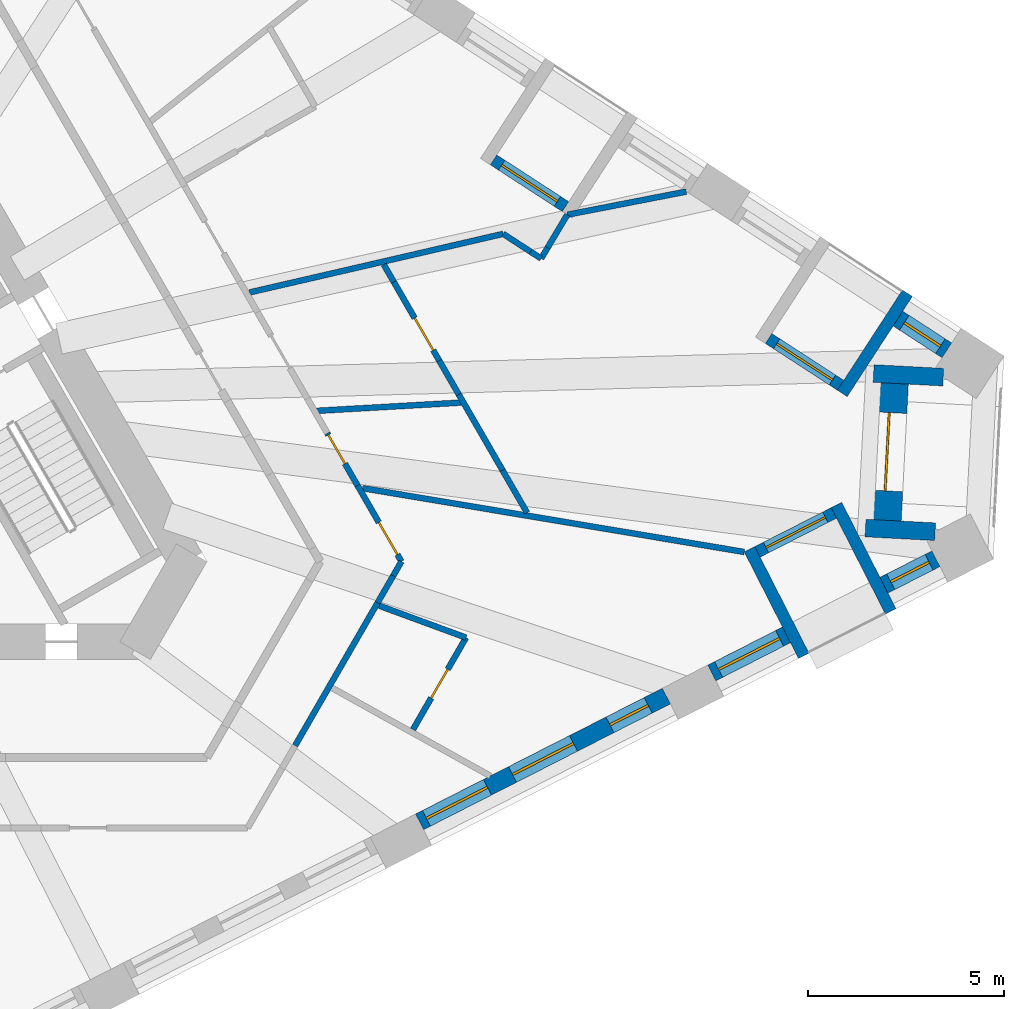
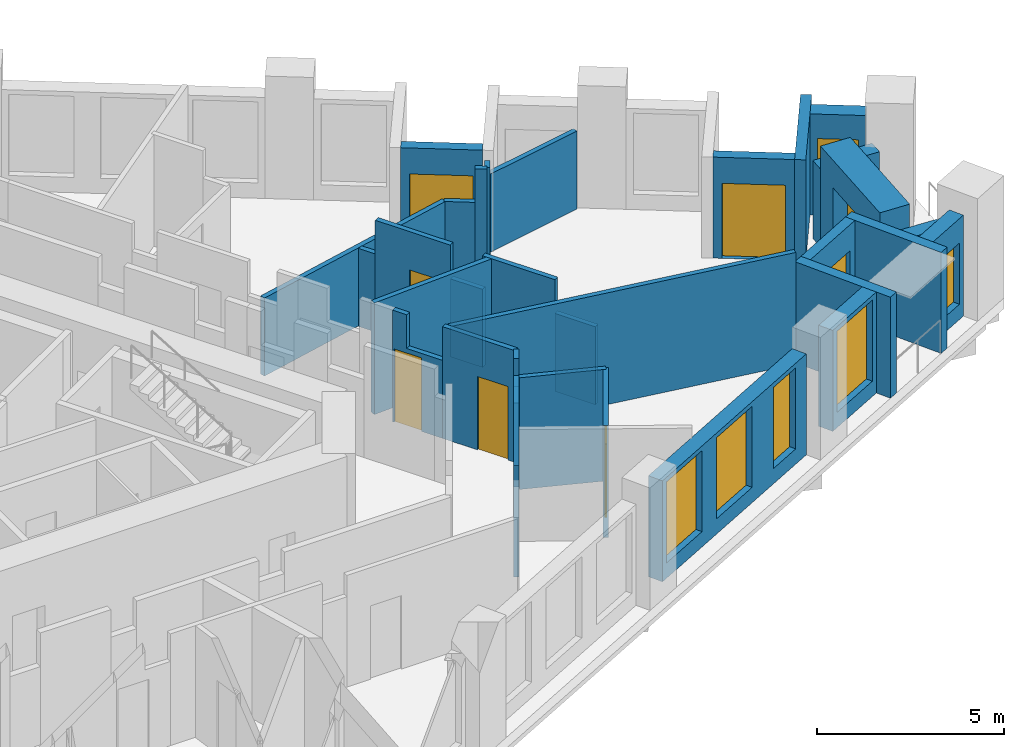
# One storey, part 6 of 13: 33 walls, 8 doors, 6 windows, 14 openings.
"""IFC4 building model written with IfcOpenShell, lengths in metres."""

from ifc_helpers import new_model, si_unit, direction, frame, frame_2d, origin, place, context, subcontext, project, spatial, polyline, rectangle, outline, extrude, material, layer, layer_set, type_object, element, fill, save


model = new_model("IFC4")

# Units and contexts
model_context = context("Model", 3, precision=1e-05, world=origin(), true_north=direction((0.0, 1.0)))
body_context = subcontext(model_context, "Body", "Model", "MODEL_VIEW")
ifc_project = project(units=[si_unit("LENGTHUNIT", "METRE"), si_unit("AREAUNIT", "SQUARE_METRE"), si_unit("VOLUMEUNIT", "CUBIC_METRE"), si_unit("PLANEANGLEUNIT", "RADIAN"), si_unit("MASSUNIT", "GRAM", prefix="KILO")], contexts=[model_context])

# Site, building, storey
site_placement = place(None, origin())
site = spatial("IfcSite", under=ifc_project, at=site_placement, CompositionType="ELEMENT")
building_placement = place(site_placement, origin())
building = spatial("IfcBuilding", under=site, at=building_placement, Name="Tramontana Tower", CompositionType="ELEMENT")
storey_placement = place(building_placement, frame((0.0, 0.0, 145.60009765625)))
storey = spatial("IfcBuildingStorey", under=building, at=storey_placement, Name="L33", CompositionType="ELEMENT", Elevation=145.60009765625)

# Wall, openings, windows
ifc_material_1 = material(Name="Precast concrete 60 MPa", Category="concrete")
ifc_layer_1 = layer(ifc_material_1, 0.449951171875)
ifc_layer_set_1 = layer_set([ifc_layer_1], Name="Precast concrete 60 MPa, 450 mm")
wall_type_1 = type_object("IfcWallType", Name="EW1 Stone-faced precast wall 450", PredefinedType="SOLIDWALL", material=ifc_layer_set_1)
wall_1_placement = place(storey_placement, frame((15.6767578125, -10.8955078125, 0.0), z_axis=(0.0, 0.0, 1.0), x_axis=(0.891004189171, 0.45399508244, 0.0)))
wall_1 = element("IfcWall", 1, at=wall_1_placement, inside=storey, type_object=wall_type_1, Name="External wall L33 face 1 bay 5", PredefinedType="SOLIDWALL", context=body_context, shape_type="SweptSolid", body=[
    extrude(rectangle(XDim=7.071533203125, YDim=0.449951171875, at=frame_2d((3.53564453125, 0.0))), origin(), (0.0, 0.0, 1.0), 3.2998046875),
])
opening_1_placement = place(wall_1_placement, frame((0.1953125, 0.0, 0.5)))
opening_1 = element("IfcOpeningElement", 2, at=opening_1_placement, cuts=wall_1, Name="Opening M2", PredefinedType="OPENING", context=body_context, shape_type="SweptSolid", body=[
    extrude(rectangle(XDim=1.75, YDim=2.64990234375, at=frame_2d((0.875, 1.324951171875))), frame((0.0, 0.23486328125, 0.0), z_axis=(0.0, -1.0, 0.0), x_axis=(1.0, 0.0, 0.0)), (0.0, 0.0, 1.0), 0.469970703125),
])
opening_2_placement = place(wall_1_placement, frame((2.660888671875, 0.0, 0.5)))
opening_2 = element("IfcOpeningElement", 3, at=opening_2_placement, cuts=wall_1, Name="Opening M2", PredefinedType="OPENING", context=body_context, shape_type="SweptSolid", body=[
    extrude(rectangle(XDim=1.75, YDim=2.64990234375, at=frame_2d((0.875, 1.324951171875))), frame((0.0, 0.23486328125, 0.0), z_axis=(0.0, -1.0, 0.0), x_axis=(1.0, 0.0, 0.0)), (0.0, 0.0, 1.0), 0.469970703125),
])
opening_3_placement = place(wall_1_placement, frame((5.451416015625, 0.0, 0.5)))
opening_3 = element("IfcOpeningElement", 4, at=opening_3_placement, cuts=wall_1, Name="Opening N2", PredefinedType="OPENING", context=body_context, shape_type="SweptSolid", body=[
    extrude(rectangle(XDim=1.10009765625, YDim=2.64990234375, at=frame_2d((0.550048828125, 1.324951171875))), frame((0.0, 0.23486328125, 0.0), z_axis=(0.0, -1.0, 0.0), x_axis=(1.0, 0.0, 0.0)), (0.0, 0.0, 1.0), 0.469970703125),
])
ifc_material_2 = material(Name="Aluminum frame, double glazing unit", Category="aluminium")
window_type_1 = type_object("IfcWindowType", Name="M2 Window 1.75 x 2.65", PartitioningType="SINGLE_PANEL", PredefinedType="WINDOW", material=ifc_material_2)
window_1_placement = place(opening_1_placement, origin())
window_1 = element("IfcWindow", 5, at=window_1_placement, inside=storey, type_object=window_type_1, Name="Window M2 L33 face 1 module 13", OverallHeight=2.64990234375, OverallWidth=1.75, PartitioningType="SINGLE_PANEL", PredefinedType="WINDOW", context=body_context, shape_type="SweptSolid", body=[
    extrude(rectangle(XDim=1.75, YDim=2.64990234375, at=frame_2d((0.875, 1.324951171875))), frame((0.0, 0.030029296875, 0.0), z_axis=(0.0, -1.0, 0.0), x_axis=(1.0, 0.0, 0.0)), (0.0, 0.0, 1.0), 0.06005859375),
])
fill(opening_1, window_1)
window_2_placement = place(opening_2_placement, origin())
window_2 = element("IfcWindow", 6, at=window_2_placement, inside=storey, type_object=window_type_1, Name="Window M2 L33 face 1 module 14", OverallHeight=2.64990234375, OverallWidth=1.75, PartitioningType="SINGLE_PANEL", PredefinedType="WINDOW", context=body_context, shape_type="SweptSolid", body=[
    extrude(rectangle(XDim=1.75, YDim=2.64990234375, at=frame_2d((0.875, 1.324951171875))), frame((0.0, 0.030029296875, 0.0), z_axis=(0.0, -1.0, 0.0), x_axis=(1.0, 0.0, 0.0)), (0.0, 0.0, 1.0), 0.06005859375),
])
fill(opening_2, window_2)
ifc_material_3 = material(Name="Aluminum frame, double glazing unit", Category="aluminium")
window_type_2 = type_object("IfcWindowType", Name="N2 Window 1.1 x 2.65", PartitioningType="SINGLE_PANEL", PredefinedType="WINDOW", material=ifc_material_3)
window_3_placement = place(opening_3_placement, origin())
window_3 = element("IfcWindow", 7, at=window_3_placement, inside=storey, type_object=window_type_2, Name="Window N2 L33 face 1 module 15", OverallHeight=2.64990234375, OverallWidth=1.10009765625, PartitioningType="SINGLE_PANEL", PredefinedType="WINDOW", context=body_context, shape_type="SweptSolid", body=[
    extrude(rectangle(XDim=1.10009765625, YDim=2.64990234375, at=frame_2d((0.550048828125, 1.324951171875))), frame((0.0, 0.030029296875, 0.0), z_axis=(0.0, -1.0, 0.0), x_axis=(1.0, 0.0, 0.0)), (0.0, 0.0, 1.0), 0.06005859375),
])
fill(opening_3, window_3)

# Wall, opening, window
wall_2_placement = place(storey_placement, frame((23.1357421875, -7.094970703125, 0.0), z_axis=(0.0, 0.0, 1.0), x_axis=(0.890979432498, 0.454043666254, 0.0)))
wall_2 = element("IfcWall", 8, at=wall_2_placement, inside=storey, type_object=wall_type_1, Name="External wall L33 face 1 bay 6", PredefinedType="SOLIDWALL", context=body_context, shape_type="SweptSolid", body=[
    extrude(rectangle(XDim=2.140625, YDim=0.449951171875, at=frame_2d((1.0703125, 0.0))), origin(), (0.0, 0.0, 1.0), 3.2998046875),
])
opening_4_placement = place(wall_2_placement, frame((0.1953125, 0.0, 0.5)))
opening_4 = element("IfcOpeningElement", 9, at=opening_4_placement, cuts=wall_2, Name="Opening M2", PredefinedType="OPENING", context=body_context, shape_type="SweptSolid", body=[
    extrude(rectangle(XDim=1.75, YDim=2.64990234375, at=frame_2d((0.875, 1.324951171875))), frame((0.0, 0.23486328125, 0.0), z_axis=(0.0, -1.0, 0.0), x_axis=(1.0, 0.0, 0.0)), (0.0, 0.0, 1.0), 0.469970703125),
])
window_4_placement = place(opening_4_placement, origin())
window_4 = element("IfcWindow", 10, at=window_4_placement, inside=storey, type_object=window_type_1, Name="Window M2 L33 face 1 module 16", OverallHeight=2.64990234375, OverallWidth=1.75, PartitioningType="SINGLE_PANEL", PredefinedType="WINDOW", context=body_context, shape_type="SweptSolid", body=[
    extrude(rectangle(XDim=1.75, YDim=2.64990234375, at=frame_2d((0.875, 1.324951171875))), frame((0.0, 0.030029296875, 0.0), z_axis=(0.0, -1.0, 0.0), x_axis=(1.0, 0.0, 0.0)), (0.0, 0.0, 1.0), 0.06005859375),
])
fill(opening_4, window_4)

wall_3_placement = place(storey_placement, frame((27.529296875, -4.856201171875, 0.0), z_axis=(0.0, 0.0, 1.0), x_axis=(0.890994495378, 0.454014106836, 0.0)))
wall_3 = element("IfcWall", 11, at=wall_3_placement, inside=storey, type_object=wall_type_1, Name="External wall L33 face 1 bay 6", PredefinedType="SOLIDWALL", context=body_context, shape_type="SweptSolid", body=[
    extrude(rectangle(XDim=1.49072265625, YDim=0.449951171875, at=frame_2d((0.745361328125, 0.0))), origin(), (0.0, 0.0, 1.0), 3.2998046875),
])
opening_5_placement = place(wall_3_placement, frame((0.1953125, 0.0, 0.5)))
opening_5 = element("IfcOpeningElement", 12, at=opening_5_placement, cuts=wall_3, Name="Opening N2L", PredefinedType="OPENING", context=body_context, shape_type="SweptSolid", body=[
    extrude(rectangle(XDim=1.10009765625, YDim=2.0, at=frame_2d((0.550048828125, 1.0))), frame((0.0, 0.23486328125, 0.0), z_axis=(0.0, -1.0, 0.0), x_axis=(1.0, 0.0, 0.0)), (0.0, 0.0, 1.0), 0.469970703125),
])
ifc_material_4 = material(Name="Aluminum frame, double glazing unit", Category="aluminium")
window_type_3 = type_object("IfcWindowType", Name="N2L Window 1.1 x 2", PartitioningType="SINGLE_PANEL", PredefinedType="WINDOW", material=ifc_material_4)
window_5_placement = place(opening_5_placement, origin())
window_5 = element("IfcWindow", 13, at=window_5_placement, inside=storey, type_object=window_type_3, Name="Window N2L L33 face 1 module 18", OverallHeight=2.0, OverallWidth=1.10009765625, PartitioningType="SINGLE_PANEL", PredefinedType="WINDOW", context=body_context, shape_type="SweptSolid", body=[
    extrude(rectangle(XDim=1.10009765625, YDim=2.0, at=frame_2d((0.550048828125, 1.0))), frame((0.0, 0.030029296875, 0.0), z_axis=(0.0, -1.0, 0.0), x_axis=(1.0, 0.0, 0.0)), (0.0, 0.0, 1.0), 0.06005859375),
])
fill(opening_5, window_5)

wall_4_placement = place(storey_placement, frame((29.13623046875, 1.14013671875, 0.0), z_axis=(0.0, 0.0, 1.0), x_axis=(-0.838668089672, 0.544642851203, 0.0)))
wall_4 = element("IfcWall", 14, at=wall_4_placement, inside=storey, type_object=wall_type_1, Name="External wall L33 face 2 bay 1", PredefinedType="SOLIDWALL", context=body_context, shape_type="SweptSolid", body=[
    extrude(rectangle(XDim=1.490478515625, YDim=0.449951171875, at=frame_2d((0.7451171875, 0.0))), origin(), (0.0, 0.0, 1.0), 3.2998046875),
])
opening_6_placement = place(wall_4_placement, frame((0.1953125, 0.0, 0.5)))
opening_6 = element("IfcOpeningElement", 15, at=opening_6_placement, cuts=wall_4, Name="Opening N2L", PredefinedType="OPENING", context=body_context, shape_type="SweptSolid", body=[
    extrude(rectangle(XDim=1.10009765625, YDim=2.0, at=frame_2d((0.550048828125, 1.0))), frame((0.0, 0.23486328125, 0.0), z_axis=(0.0, -1.0, 0.0), x_axis=(1.0, 0.0, 0.0)), (0.0, 0.0, 1.0), 0.469970703125),
])
window_6_placement = place(opening_6_placement, origin())
window_6 = element("IfcWindow", 16, at=window_6_placement, inside=storey, type_object=window_type_3, Name="Window N2L L33 face 2 module 1", OverallHeight=2.0, OverallWidth=1.10009765625, PartitioningType="SINGLE_PANEL", PredefinedType="WINDOW", context=body_context, shape_type="SweptSolid", body=[
    extrude(rectangle(XDim=1.10009765625, YDim=2.0, at=frame_2d((0.550048828125, 1.0))), frame((0.0, 0.030029296875, 0.0), z_axis=(0.0, -1.0, 0.0), x_axis=(1.0, 0.0, 0.0)), (0.0, 0.0, 1.0), 0.06005859375),
])
fill(opening_6, window_6)

# Walls
for number, where, z_axis, x_axis, name in (
    (17, (29.04296875, 0.45556640625, 0.0), (0.0, 0.0, 1.0), (-0.998625399692, 0.05241479839, 0.0), "Corner loggia side wall L33 K32l"),
    (18, (28.836181640625, -3.489013671875, 0.0), (0.0, 0.0, 1.0), (-0.998625399692, 0.05241479839, 0.0), "Corner loggia side wall L33 K32r"),
):
    element("IfcWall", number, at=place(storey_placement, frame(where, z_axis=z_axis, x_axis=x_axis)), inside=storey, type_object=wall_type_1, Name=name, PredefinedType="SOLIDWALL", context=body_context, shape_type="SweptSolid", body=[
        extrude(rectangle(XDim=1.779296875, YDim=0.449951171875, at=frame_2d((0.8896484375, 0.0))), origin(), (0.0, 0.0, 1.0), 2.5498046875),
    ])

# Wall, opening, door
ifc_material_5 = material(Name="Precast concrete 60 MPa", Category="concrete")
ifc_layer_2 = layer(ifc_material_5, 0.89990234375)
ifc_layer_set_2 = layer_set([ifc_layer_2], Name="EW2 Stone-faced corner loggia wall 900")
wall_type_2 = type_object("IfcWallType", Name="EW2 Stone-faced corner loggia wall 900", PredefinedType="SOLIDWALL", material=ifc_layer_set_2)
wall_5_placement = place(storey_placement, frame((27.70361328125, 0.300537109375, 0.0), z_axis=(0.0, 0.0, 1.0), x_axis=(-0.052317189757, -0.998630518088, 0.0)))
wall_5 = element("IfcWall", 19, at=wall_5_placement, inside=storey, type_object=wall_type_2, Name="Corner loggia wall L33 K32", PredefinedType="SOLIDWALL", context=body_context, shape_type="SweptSolid", body=[
    extrude(rectangle(XDim=3.5, YDim=0.89990234375, at=frame_2d((1.75, 0.0))), origin(), (0.0, 0.0, 1.0), 3.2998046875),
])
opening_7_placement = place(wall_5_placement, frame((0.75, 0.0, 0.0)))
opening_7 = element("IfcOpeningElement", 20, at=opening_7_placement, cuts=wall_5, Name="Opening BD-32C", PredefinedType="OPENING", context=body_context, shape_type="SweptSolid", body=[
    extrude(rectangle(XDim=2.0, YDim=2.39990234375, at=frame_2d((1.0, 1.199951171875))), frame((0.0, 0.4599609375, 0.0), z_axis=(0.0, -1.0, 0.0), x_axis=(1.0, 0.0, 0.0)), (0.0, 0.0, 1.0), 0.919921875),
])
ifc_material_6 = material(Name="Aluminum frame, double glazing unit", Category="aluminium")
door_type_1 = type_object("IfcDoorType", Name="BC1 Sliding door 2 x 2.4", OperationType="SLIDING_TO_LEFT", PredefinedType="DOOR", material=ifc_material_6)
door_1_placement = place(opening_7_placement, origin())
door_1 = element("IfcDoor", 21, at=door_1_placement, inside=storey, type_object=door_type_1, Name="Corner loggia door L33 K32", OperationType="SLIDING_TO_LEFT", OverallHeight=2.39990234375, OverallWidth=2.0, PredefinedType="DOOR", context=body_context, shape_type="SweptSolid", body=[
    extrude(rectangle(XDim=2.0, YDim=2.39990234375, at=frame_2d((1.0, 1.199951171875))), frame((0.0, 0.02490234375, 0.0), z_axis=(0.0, -1.0, 0.0), x_axis=(1.0, 0.0, 0.0)), (0.0, 0.0, 1.0), 0.050048828125),
])
fill(opening_7, door_1)

ifc_material_7 = material(Name="Precast concrete 60 MPa", Category="concrete")
ifc_layer_3 = layer(ifc_material_7, 0.300048828125)
ifc_layer_set_3 = layer_set([ifc_layer_3], Name="LW1 Stone-faced loggia wall 300")
wall_type_3 = type_object("IfcWallType", Name="LW1 Stone-faced loggia wall 300", PredefinedType="SOLIDWALL", material=ifc_layer_set_3)
wall_6_placement = place(storey_placement, frame((24.30029296875, -4.00439453125, 0.0), z_axis=(0.0, 0.0, 1.0), x_axis=(0.891013126725, 0.4539775413, 0.0)))
wall_6 = element("IfcWall", 22, at=wall_6_placement, inside=storey, type_object=wall_type_3, Name="Loggia wall L33 G3S1.16", PredefinedType="SOLIDWALL", context=body_context, shape_type="SweptSolid", body=[
    extrude(rectangle(XDim=2.1904296875, YDim=0.300048828125, at=frame_2d((1.09521484375, 0.0))), origin(), (0.0, 0.0, 1.0), 3.2998046875),
])
opening_8_placement = place(wall_6_placement, frame((0.245361328125, 0.0, 0.0)))
opening_8 = element("IfcOpeningElement", 23, at=opening_8_placement, cuts=wall_6, Name="Opening BD-3S1-16", PredefinedType="OPENING", context=body_context, shape_type="SweptSolid", body=[
    extrude(rectangle(XDim=1.699951171875, YDim=2.449951171875, at=frame_2d((0.85009765625, 1.22509765625))), frame((0.0, 0.159912109375, 0.0), z_axis=(0.0, -1.0, 0.0), x_axis=(1.0, 0.0, 0.0)), (0.0, 0.0, 1.0), 0.320068359375),
])
ifc_material_8 = material(Name="Aluminum frame, double glazing unit", Category="aluminium")
door_type_2 = type_object("IfcDoorType", Name="BD2 Sliding door 1.7 x 2.45", OperationType="SLIDING_TO_LEFT", PredefinedType="DOOR", material=ifc_material_8)
door_2_placement = place(opening_8_placement, origin())
door_2 = element("IfcDoor", 24, at=door_2_placement, inside=storey, type_object=door_type_2, Name="Loggia door L33 G3S1.16", OperationType="SLIDING_TO_LEFT", OverallHeight=2.449951171875, OverallWidth=1.699951171875, PredefinedType="DOOR", context=body_context, shape_type="SweptSolid", body=[
    extrude(rectangle(XDim=1.699951171875, YDim=2.449951171875, at=frame_2d((0.85009765625, 1.22509765625))), frame((0.0, 0.02490234375, 0.0), z_axis=(0.0, -1.0, 0.0), x_axis=(1.0, 0.0, 0.0)), (0.0, 0.0, 1.0), 0.050048828125),
])
fill(opening_8, door_2)

# Walls
wall_7_placement = place(storey_placement, frame((25.483154296875, -6.656494140625, 0.0), z_axis=(0.0, 0.0, 1.0), x_axis=(-0.453988129332, 0.891007731968, 0.0)))
element("IfcWall", 25, at=wall_7_placement, inside=storey, type_object=wall_type_3, Name="Loggia return L33 G3S1.16a", PredefinedType="SOLIDWALL", context=body_context, shape_type="SweptSolid", body=[
    extrude(rectangle(XDim=3.05029296875, YDim=0.300048828125, at=frame_2d((1.525146484375, 0.0))), origin(), (0.0, 0.0, 1.0), 3.2998046875),
])
wall_8_placement = place(storey_placement, frame((27.7021484375, -5.525634765625, 0.0), z_axis=(0.0, 0.0, 1.0), x_axis=(-0.453956959009, 0.891023613249, 0.0)))
element("IfcWall", 26, at=wall_8_placement, inside=storey, type_object=wall_type_3, Name="Loggia return L33 G3S1.16b", PredefinedType="SOLIDWALL", context=body_context, shape_type="SweptSolid", body=[
    extrude(rectangle(XDim=3.0498046875, YDim=0.300048828125, at=frame_2d((1.52490234375, 0.0))), origin(), (0.0, 0.0, 1.0), 3.2998046875),
])

# Wall, opening, door
wall_9_placement = place(storey_placement, frame((26.4228515625, 0.249267578125, 0.0), z_axis=(0.0, 0.0, 1.0), x_axis=(-0.838659986147, 0.544655329209, 0.0)))
wall_9 = element("IfcWall", 27, at=wall_9_placement, inside=storey, type_object=wall_type_3, Name="Loggia wall L33 G3S2.1", PredefinedType="SOLIDWALL", context=body_context, shape_type="SweptSolid", body=[
    extrude(rectangle(XDim=2.190673828125, YDim=0.300048828125, at=frame_2d((1.09521484375, 0.0))), origin(), (0.0, 0.0, 1.0), 3.2998046875),
])
opening_9_placement = place(wall_9_placement, frame((0.245361328125, 0.0, 0.0)))
opening_9 = element("IfcOpeningElement", 28, at=opening_9_placement, cuts=wall_9, Name="Opening BD-3S2-01", PredefinedType="OPENING", context=body_context, shape_type="SweptSolid", body=[
    extrude(rectangle(XDim=1.699951171875, YDim=2.449951171875, at=frame_2d((0.85009765625, 1.22509765625))), frame((0.0, 0.159912109375, 0.0), z_axis=(0.0, -1.0, 0.0), x_axis=(1.0, 0.0, 0.0)), (0.0, 0.0, 1.0), 0.320068359375),
])
door_3_placement = place(opening_9_placement, origin())
door_3 = element("IfcDoor", 29, at=door_3_placement, inside=storey, type_object=door_type_2, Name="Loggia door L33 G3S2.1", OperationType="SLIDING_TO_LEFT", OverallHeight=2.449951171875, OverallWidth=1.699951171875, PredefinedType="DOOR", context=body_context, shape_type="SweptSolid", body=[
    extrude(rectangle(XDim=1.699951171875, YDim=2.449951171875, at=frame_2d((0.85009765625, 1.22509765625))), frame((0.0, 0.02490234375, 0.0), z_axis=(0.0, -1.0, 0.0), x_axis=(1.0, 0.0, 0.0)), (0.0, 0.0, 1.0), 0.050048828125),
])
fill(opening_9, door_3)

# Wall
wall_10_placement = place(storey_placement, frame((28.1279296875, 2.599853515625, 0.0), z_axis=(0.0, 0.0, 1.0), x_axis=(-0.544611292451, -0.838688583525, 0.0)))
element("IfcWall", 30, at=wall_10_placement, inside=storey, type_object=wall_type_3, Name="Loggia return L33 G3S2.1a", PredefinedType="SOLIDWALL", context=body_context, shape_type="SweptSolid", body=[
    extrude(rectangle(XDim=3.050048828125, YDim=0.300048828125, at=frame_2d((1.52490234375, 0.0))), origin(), (0.0, 0.0, 1.0), 3.2998046875),
])

# Wall, opening, door
wall_11_placement = place(storey_placement, frame((19.40185546875, 4.808837890625, 0.0), z_axis=(0.0, 0.0, 1.0), x_axis=(-0.838659986147, 0.544655329209, 0.0)))
wall_11 = element("IfcWall", 31, at=wall_11_placement, inside=storey, type_object=wall_type_3, Name="Loggia wall L33 G3S2.4", PredefinedType="SOLIDWALL", context=body_context, shape_type="SweptSolid", body=[
    extrude(rectangle(XDim=2.190673828125, YDim=0.300048828125, at=frame_2d((1.09521484375, 0.0))), origin(), (0.0, 0.0, 1.0), 3.2998046875),
])
opening_10_placement = place(wall_11_placement, frame((0.245361328125, 0.0, 0.0)))
opening_10 = element("IfcOpeningElement", 32, at=opening_10_placement, cuts=wall_11, Name="Opening BD-3S2-04", PredefinedType="OPENING", context=body_context, shape_type="SweptSolid", body=[
    extrude(rectangle(XDim=1.699951171875, YDim=2.449951171875, at=frame_2d((0.85009765625, 1.22509765625))), frame((0.0, 0.159912109375, 0.0), z_axis=(0.0, -1.0, 0.0), x_axis=(1.0, 0.0, 0.0)), (0.0, 0.0, 1.0), 0.320068359375),
])
door_4_placement = place(opening_10_placement, origin())
door_4 = element("IfcDoor", 33, at=door_4_placement, inside=storey, type_object=door_type_2, Name="Loggia door L33 G3S2.4", OperationType="SLIDING_TO_LEFT", OverallHeight=2.449951171875, OverallWidth=1.699951171875, PredefinedType="DOOR", context=body_context, shape_type="SweptSolid", body=[
    extrude(rectangle(XDim=1.699951171875, YDim=2.449951171875, at=frame_2d((0.85009765625, 1.22509765625))), frame((0.0, 0.02490234375, 0.0), z_axis=(0.0, -1.0, 0.0), x_axis=(1.0, 0.0, 0.0)), (0.0, 0.0, 1.0), 0.050048828125),
])
fill(opening_10, door_4)

ifc_material_9 = material(Name="Gypsum board partition")
ifc_layer_4 = layer(ifc_material_9, 0.14990234375)
ifc_layer_set_4 = layer_set([ifc_layer_4], Name="PARTITION 150")
wall_type_4 = type_object("IfcWallType", Name="PARTITION 150", PredefinedType="PARTITIONING", material=ifc_layer_set_4)
wall_12_placement = place(storey_placement, frame((13.322021484375, -0.974365234375, 0.0), z_axis=(0.0, 0.0, 1.0), x_axis=(0.5000008632, -0.866024905415, 0.0)))
wall_12 = element("IfcWall", 34, at=wall_12_placement, inside=storey, type_object=wall_type_4, Name="Wall v31-pw29-9", PredefinedType="PARTITIONING", context=body_context, shape_type="SweptSolid", body=[
    extrude(outline(polyline([(0.0, 0.0), (1.54345703125, 0.0), (1.54345703125, 2.5498046875), (0.439697265625, 2.5498046875), (0.439697265625, 3.64990234375), (0.0, 3.64990234375), (0.0, 0.0)])), frame((0.0, 0.074951171875, 0.0), z_axis=(0.0, -1.0, 0.0), x_axis=(1.0, 0.0, 0.0)), (0.0, 0.0, 1.0), 0.14990234375),
])
opening_11_placement = place(wall_12_placement, frame((0.050048828125, 0.0, 0.0)))
opening_11 = element("IfcOpeningElement", 35, at=opening_11_placement, cuts=wall_12, Name="Opening B3B-18", PredefinedType="OPENING", context=body_context, shape_type="SweptSolid", body=[
    extrude(rectangle(XDim=0.85009765625, YDim=2.39990234375, at=frame_2d((0.425048828125, 1.199951171875))), frame((0.0, 0.0849609375, 0.0), z_axis=(0.0, -1.0, 0.0), x_axis=(1.0, 0.0, 0.0)), (0.0, 0.0, 1.0), 0.169921875),
])
ifc_material_10 = material(Name="Painted timber", Category="wood")
door_type_3 = type_object("IfcDoorType", Name="DOOR BATH 850", OperationType="SINGLE_SWING_LEFT", PredefinedType="DOOR", material=ifc_material_10)
door_5_placement = place(opening_11_placement, origin())
door_5 = element("IfcDoor", 36, at=door_5_placement, inside=storey, type_object=door_type_3, Name="Door B3B-18", OperationType="SINGLE_SWING_RIGHT", OverallHeight=2.39990234375, OverallWidth=0.85009765625, PredefinedType="DOOR", context=body_context, shape_type="SweptSolid", body=[
    extrude(rectangle(XDim=0.85009765625, YDim=2.39990234375, at=frame_2d((0.425048828125, 1.199951171875))), frame((0.0, 0.02490234375, 0.0), z_axis=(0.0, -1.0, 0.0), x_axis=(1.0, 0.0, 0.0)), (0.0, 0.0, 1.0), 0.050048828125),
])
fill(opening_11, door_5)

wall_13_placement = place(storey_placement, frame((14.09375, -2.31103515625, 0.0), z_axis=(0.0, 0.0, 1.0), x_axis=(0.499974169222, -0.866040316677, 0.0)))
wall_13 = element("IfcWall", 37, at=wall_13_placement, inside=storey, type_object=wall_type_4, Name="Wall v31-pw29-10", PredefinedType="PARTITIONING", context=body_context, shape_type="SweptSolid", body=[
    extrude(rectangle(XDim=2.23876953125, YDim=0.14990234375, at=frame_2d((1.119384765625, 0.0))), origin(), (0.0, 0.0, 1.0), 3.64990234375),
])
opening_12_placement = place(wall_13_placement, frame((1.08447265625, 0.0, 0.0)))
opening_12 = element("IfcOpeningElement", 38, at=opening_12_placement, cuts=wall_13, Name="Opening B3B-19", PredefinedType="OPENING", context=body_context, shape_type="SweptSolid", body=[
    extrude(rectangle(XDim=0.949951171875, YDim=2.39990234375, at=frame_2d((0.47509765625, 1.199951171875))), frame((0.0, 0.0849609375, 0.0), z_axis=(0.0, -1.0, 0.0), x_axis=(1.0, 0.0, 0.0)), (0.0, 0.0, 1.0), 0.169921875),
])
ifc_material_11 = material(Name="Painted timber", Category="wood")
door_type_4 = type_object("IfcDoorType", Name="DOOR ROOM 950", OperationType="SINGLE_SWING_LEFT", PredefinedType="DOOR", material=ifc_material_11)
door_6_placement = place(opening_12_placement, origin())
door_6 = element("IfcDoor", 39, at=door_6_placement, inside=storey, type_object=door_type_4, Name="Door B3B-19", OperationType="SINGLE_SWING_LEFT", OverallHeight=2.39990234375, OverallWidth=0.949951171875, PredefinedType="DOOR", context=body_context, shape_type="SweptSolid", body=[
    extrude(rectangle(XDim=0.949951171875, YDim=2.39990234375, at=frame_2d((0.47509765625, 1.199951171875))), frame((0.0, 0.02490234375, 0.0), z_axis=(0.0, -1.0, 0.0), x_axis=(1.0, 0.0, 0.0)), (0.0, 0.0, 1.0), 0.050048828125),
])
fill(opening_12, door_6)

# Walls
wall_14_placement = place(storey_placement, frame((11.3349609375, 2.617431640625, 0.0), z_axis=(0.0, 0.0, 1.0), x_axis=(0.974350317448, 0.225036572338, 0.0)))
element("IfcWall", 40, at=wall_14_placement, inside=storey, type_object=wall_type_4, Name="Wall v31-pw34-0", PredefinedType="PARTITIONING", context=body_context, shape_type="SweptSolid", body=[
    extrude(rectangle(XDim=6.64599609375, YDim=0.14990234375, at=frame_2d((3.322998046875, 0.0))), origin(), (0.0, 0.0, 1.0), 2.5498046875),
])
wall_15_placement = place(storey_placement, frame((14.64794921875, -5.379150390625, 0.0), z_axis=(0.0, 0.0, 1.0), x_axis=(0.938688895459, -0.344765365925, 0.0)))
element("IfcWall", 41, at=wall_15_placement, inside=storey, type_object=wall_type_4, Name="Wall v31-pw38", PredefinedType="PARTITIONING", context=body_context, shape_type="SweptSolid", body=[
    extrude(rectangle(XDim=2.359619140625, YDim=0.14990234375, at=frame_2d((1.1796875, 0.0))), origin(), (0.0, 0.0, 1.0), 3.64990234375),
])
wall_16_placement = place(storey_placement, frame((14.76171875, 3.331787109375, 0.0), z_axis=(0.0, 0.0, 1.0), x_axis=(0.500024172624, -0.866011447264, 0.0)))
element("IfcWall", 42, at=wall_16_placement, inside=storey, type_object=wall_type_4, Name="Wall v31-pw39-0", PredefinedType="PARTITIONING", context=body_context, shape_type="SweptSolid", body=[
    extrude(rectangle(XDim=0.513671875, YDim=0.14990234375, at=frame_2d((0.2568359375, 0.0))), origin(), (0.0, 0.0, 1.0), 2.5498046875),
])

# Wall, opening, door
wall_17_placement = place(storey_placement, frame((15.0185546875, 2.886962890625, 0.0), z_axis=(0.0, 0.0, 1.0), x_axis=(0.50006548692, -0.865987591592, 0.0)))
wall_17 = element("IfcWall", 43, at=wall_17_placement, inside=storey, type_object=wall_type_4, Name="Wall v31-pw39-1", PredefinedType="PARTITIONING", context=body_context, shape_type="SweptSolid", body=[
    extrude(rectangle(XDim=2.320556640625, YDim=0.14990234375, at=frame_2d((1.16015625, 0.0))), origin(), (0.0, 0.0, 1.0), 3.64990234375),
])
opening_13_placement = place(wall_17_placement, frame((1.064208984375, 0.0, 0.0)))
opening_13 = element("IfcOpeningElement", 44, at=opening_13_placement, cuts=wall_17, Name="Opening B3B-25", PredefinedType="OPENING", context=body_context, shape_type="SweptSolid", body=[
    extrude(rectangle(XDim=0.949951171875, YDim=2.39990234375, at=frame_2d((0.47509765625, 1.199951171875))), frame((0.0, 0.0849609375, 0.0), z_axis=(0.0, -1.0, 0.0), x_axis=(1.0, 0.0, 0.0)), (0.0, 0.0, 1.0), 0.169921875),
])
door_7_placement = place(opening_13_placement, origin())
door_7 = element("IfcDoor", 45, at=door_7_placement, inside=storey, type_object=door_type_4, Name="Door B3B-25", OperationType="SINGLE_SWING_LEFT", OverallHeight=2.39990234375, OverallWidth=0.949951171875, PredefinedType="DOOR", context=body_context, shape_type="SweptSolid", body=[
    extrude(rectangle(XDim=0.949951171875, YDim=2.39990234375, at=frame_2d((0.47509765625, 1.199951171875))), frame((0.0, 0.02490234375, 0.0), z_axis=(0.0, -1.0, 0.0), x_axis=(1.0, 0.0, 0.0)), (0.0, 0.0, 1.0), 0.050048828125),
])
fill(opening_13, door_7)

# Walls
wall_18_placement = place(storey_placement, frame((16.178955078125, 0.87744140625, 0.0), z_axis=(0.0, 0.0, 1.0), x_axis=(0.499991453095, -0.866030338286, 0.0)))
element("IfcWall", 46, at=wall_18_placement, inside=storey, type_object=wall_type_4, Name="Wall v31-pw39-2", PredefinedType="PARTITIONING", context=body_context, shape_type="SweptSolid", body=[
    extrude(rectangle(XDim=0.9951171875, YDim=0.14990234375, at=frame_2d((0.49755859375, 0.0))), origin(), (0.0, 0.0, 1.0), 2.5498046875),
])
wall_19_placement = place(storey_placement, frame((16.676513671875, 0.015625, 0.0), z_axis=(0.0, 0.0, 1.0), x_axis=(0.499958946799, -0.866049104564, 0.0)))
element("IfcWall", 47, at=wall_19_placement, inside=storey, type_object=wall_type_4, Name="Wall v31-pw39-3", PredefinedType="PARTITIONING", context=body_context, shape_type="SweptSolid", body=[
    extrude(rectangle(XDim=2.234130859375, YDim=0.14990234375, at=frame_2d((1.1171875, 0.0))), origin(), (0.0, 0.0, 1.0), 3.64990234375),
])
wall_20_placement = place(storey_placement, frame((17.79345703125, -1.919189453125, 0.0), z_axis=(0.0, 0.0, 1.0), x_axis=(0.500059962755, -0.865990781504, 0.0)))
element("IfcWall", 48, at=wall_20_placement, inside=storey, type_object=wall_type_4, Name="Wall v31-pw39-4", PredefinedType="PARTITIONING", context=body_context, shape_type="SweptSolid", body=[
    extrude(rectangle(XDim=1.252197265625, YDim=0.14990234375, at=frame_2d((0.6259765625, 0.0))), origin(), (0.0, 0.0, 1.0), 2.5498046875),
])
wall_21_placement = place(storey_placement, frame((15.213134765625, -4.25, 0.0), z_axis=(0.0, 0.0, 1.0), x_axis=(-0.499922110319, -0.866070368743, 0.0)))
element("IfcWall", 49, at=wall_21_placement, inside=storey, type_object=wall_type_4, Name="Wall v31-pw40-0", PredefinedType="PARTITIONING", context=body_context, shape_type="SweptSolid", body=[
    extrude(rectangle(XDim=0.42333984375, YDim=0.14990234375, at=frame_2d((0.211669921875, 0.0))), origin(), (0.0, 0.0, 1.0), 3.64990234375),
])
wall_22_placement = place(storey_placement, frame((15.00146484375, -4.61669921875, 0.0), z_axis=(0.0, 0.0, 1.0), x_axis=(-0.49989173393, -0.866087902207, 0.0)))
element("IfcWall", 50, at=wall_22_placement, inside=storey, type_object=wall_type_4, Name="Wall v31-pw40-1", PredefinedType="PARTITIONING", context=body_context, shape_type="SweptSolid", body=[
    extrude(rectangle(XDim=0.790771484375, YDim=0.14990234375, at=frame_2d((0.3955078125, 0.0))), origin(), (0.0, 0.0, 1.0), 2.75),
])
wall_23_placement = place(storey_placement, frame((14.606201171875, -5.301513671875, 0.0), z_axis=(0.0, 0.0, 1.0), x_axis=(-0.50004374799, -0.866000144397, 0.0)))
element("IfcWall", 51, at=wall_23_placement, inside=storey, type_object=wall_type_4, Name="Wall v31-pw40-2", PredefinedType="PARTITIONING", context=body_context, shape_type="SweptSolid", body=[
    extrude(rectangle(XDim=4.20947265625, YDim=0.14990234375, at=frame_2d((2.104736328125, 0.0))), origin(), (0.0, 0.0, 1.0), 3.64990234375),
])
wall_24_placement = place(storey_placement, frame((16.79296875, -0.1904296875, 0.0), z_axis=(0.0, 0.0, 1.0), x_axis=(-0.998373005919, -0.057020531853, 0.0)))
element("IfcWall", 52, at=wall_24_placement, inside=storey, type_object=wall_type_4, Name="Wall v31-pw41", PredefinedType="PARTITIONING", context=body_context, shape_type="SweptSolid", body=[
    extrude(rectangle(XDim=3.802001953125, YDim=0.14990234375, at=frame_2d((1.90087890625, 0.0))), origin(), (0.0, 0.0, 1.0), 3.64990234375),
])

# Wall, opening, door
wall_25_placement = place(storey_placement, frame((15.5078125, -8.53955078125, 0.0), z_axis=(0.0, 0.0, 1.0), x_axis=(0.499995396135, 0.866028061811, 0.0)))
wall_25 = element("IfcWall", 53, at=wall_25_placement, inside=storey, type_object=wall_type_4, Name="Wall v31-pw42", PredefinedType="PARTITIONING", context=body_context, shape_type="SweptSolid", body=[
    extrude(rectangle(XDim=2.7099609375, YDim=0.14990234375, at=frame_2d((1.35498046875, 0.0))), origin(), (0.0, 0.0, 1.0), 3.64990234375),
])
opening_14_placement = place(wall_25_placement, frame((0.929931640625, 0.0, 0.0)))
opening_14 = element("IfcOpeningElement", 54, at=opening_14_placement, cuts=wall_25, Name="Opening B3B-23", PredefinedType="OPENING", context=body_context, shape_type="SweptSolid", body=[
    extrude(rectangle(XDim=0.85009765625, YDim=2.39990234375, at=frame_2d((0.425048828125, 1.199951171875))), frame((0.0, 0.0849609375, 0.0), z_axis=(0.0, -1.0, 0.0), x_axis=(1.0, 0.0, 0.0)), (0.0, 0.0, 1.0), 0.169921875),
])
door_8_placement = place(opening_14_placement, origin())
door_8 = element("IfcDoor", 55, at=door_8_placement, inside=storey, type_object=door_type_3, Name="Door B3B-23", OperationType="SINGLE_SWING_LEFT", OverallHeight=2.39990234375, OverallWidth=0.85009765625, PredefinedType="DOOR", context=body_context, shape_type="SweptSolid", body=[
    extrude(rectangle(XDim=0.85009765625, YDim=2.39990234375, at=frame_2d((0.425048828125, 1.199951171875))), frame((0.0, 0.02490234375, 0.0), z_axis=(0.0, -1.0, 0.0), x_axis=(1.0, 0.0, 0.0)), (0.0, 0.0, 1.0), 0.050048828125),
])
fill(opening_14, door_8)

# Walls
wall_26_placement = place(storey_placement, frame((17.810791015625, 4.113037109375, 0.0), z_axis=(0.0, 0.0, 1.0), x_axis=(0.838605037595, -0.544739929618, 0.0)))
element("IfcWall", 56, at=wall_26_placement, inside=storey, type_object=wall_type_4, Name="Wall v31-pw44-0", PredefinedType="PARTITIONING", context=body_context, shape_type="SweptSolid", body=[
    extrude(rectangle(XDim=0.8291015625, YDim=0.14990234375, at=frame_2d((0.41455078125, 0.0))), origin(), (0.0, 0.0, 1.0), 2.5498046875),
])
wall_27_placement = place(storey_placement, frame((18.506103515625, 3.661376953125, 0.0), z_axis=(0.0, 0.0, 1.0), x_axis=(0.838478007434, -0.544935437506, 0.0)))
element("IfcWall", 57, at=wall_27_placement, inside=storey, type_object=wall_type_4, Name="Wall v31-pw44-1", PredefinedType="PARTITIONING", context=body_context, shape_type="SweptSolid", body=[
    extrude(rectangle(XDim=0.324462890625, YDim=0.14990234375, at=frame_2d((0.162109375, 0.0))), origin(), (0.0, 0.0, 1.0), 3.64990234375),
])
wall_28_placement = place(storey_placement, frame((18.781005859375, 3.4853515625, 0.0), z_axis=(0.0, 0.0, 1.0), x_axis=(0.512010084496, 0.858979437108, 0.0)))
element("IfcWall", 58, at=wall_28_placement, inside=storey, type_object=wall_type_4, Name="Wall v31-pw45-0", PredefinedType="PARTITIONING", context=body_context, shape_type="SweptSolid", body=[
    extrude(rectangle(XDim=0.318115234375, YDim=0.14990234375, at=frame_2d((0.1591796875, 0.0))), origin(), (0.0, 0.0, 1.0), 3.64990234375),
])
wall_29_placement = place(storey_placement, frame((18.94384765625, 3.758544921875, 0.0), z_axis=(0.0, 0.0, 1.0), x_axis=(0.511711371719, 0.859157419832, 0.0)))
element("IfcWall", 59, at=wall_29_placement, inside=storey, type_object=wall_type_4, Name="Wall v31-pw45-1", PredefinedType="PARTITIONING", context=body_context, shape_type="SweptSolid", body=[
    extrude(rectangle(XDim=0.98095703125, YDim=0.14990234375, at=frame_2d((0.490478515625, 0.0))), origin(), (0.0, 0.0, 1.0), 2.5498046875),
])
wall_30_placement = place(storey_placement, frame((19.44580078125, 4.601318359375, 0.0), z_axis=(0.0, 0.0, 1.0), x_axis=(0.981607587995, 0.190909777622, 0.0)))
element("IfcWall", 60, at=wall_30_placement, inside=storey, type_object=wall_type_4, Name="Wall v31-pw46-0", PredefinedType="PARTITIONING", context=body_context, shape_type="SweptSolid", body=[
    extrude(rectangle(XDim=3.0947265625, YDim=0.14990234375, at=frame_2d((1.54736328125, 0.0))), origin(), (0.0, 0.0, 1.0), 2.5498046875),
])
wall_31_placement = place(storey_placement, frame((23.96484375, -4.0068359375, 0.0), z_axis=(0.0, 0.0, 1.0), x_axis=(-0.986311668024, 0.164891763042, 0.0)))
element("IfcWall", 61, at=wall_31_placement, inside=storey, type_object=wall_type_4, Name="Wall v31-pw47", PredefinedType="PARTITIONING", context=body_context, shape_type="SweptSolid", body=[
    extrude(rectangle(XDim=9.881591796875, YDim=0.14990234375, at=frame_2d((4.94091796875, 0.0))), origin(), (0.0, 0.0, 1.0), 3.64990234375),
])

save(model, "model.ifc")
